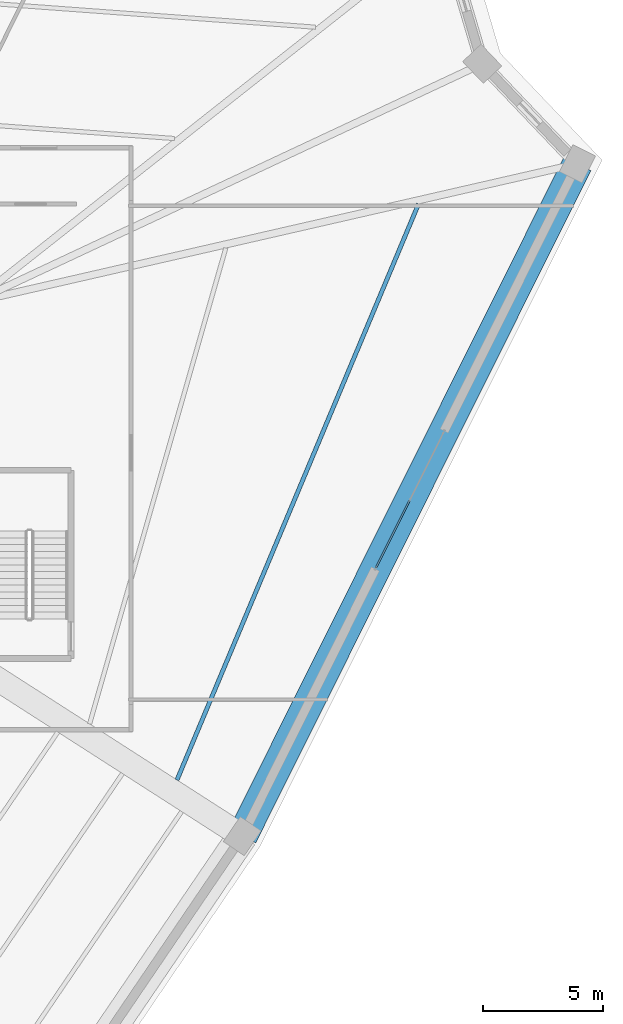
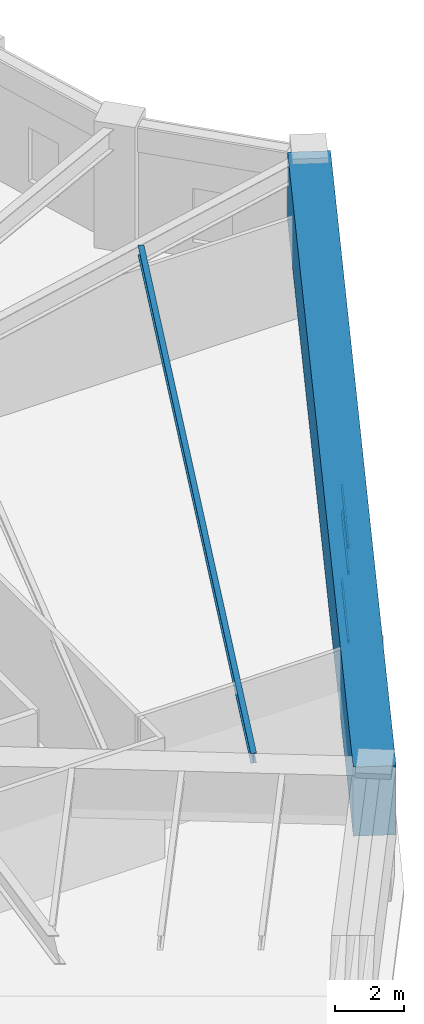
# One storey, part 23 of 39: 3 members, 2 beams, 1 element without a shape of its own.
"""IFC4 building model written with IfcOpenShell, lengths in metres."""

from ifc_helpers import new_model, si_unit, direction, frame, origin, origin_2d, place, context, subcontext, project, spatial, rectangle, hollow_rectangle, i_section, extrude, source, transform, mapped, material, layer, layer_set, material_profile, profile_set, type_object, element, aggregate, save


model = new_model("IFC4")

# Units and contexts
model_context = context("Model", 3, precision=1e-05, world=origin(), true_north=direction((0.0, 1.0)))
body_context = subcontext(model_context, "Body", "Model", "MODEL_VIEW")
ifc_project = project(units=[si_unit("LENGTHUNIT", "METRE"), si_unit("AREAUNIT", "SQUARE_METRE"), si_unit("VOLUMEUNIT", "CUBIC_METRE"), si_unit("PLANEANGLEUNIT", "RADIAN"), si_unit("MASSUNIT", "GRAM", prefix="KILO")], contexts=[model_context])

# Site, building, storey
site_placement = place(None, origin())
site = spatial("IfcSite", under=ifc_project, at=site_placement, CompositionType="ELEMENT")
building_placement = place(site_placement, origin())
building = spatial("IfcBuilding", under=site, at=building_placement, Name="Liaohun Quay Tower", CompositionType="ELEMENT")
storey_placement = place(building_placement, frame((0.0, 0.0, 189.75)))
storey = spatial("IfcBuildingStorey", under=building, at=storey_placement, Name="L49", CompositionType="ELEMENT", Elevation=189.75)

# Beams
ifc_material_1 = material(Name="Concrete C60", Category="concrete")
ifc_material_profile_1 = material_profile(ifc_material_1, rectangle(XDim=1.25, YDim=2.449951171875, at=origin_2d()), Name="RC1250x2450")
ifc_profile_set_1 = profile_set([ifc_material_profile_1], Name="Concrete C60")
beam_type_1 = type_object("IfcBeamType", Name="BM-TRF-1", PredefinedType="BEAM", material=ifc_profile_set_1)
shared_shape_1 = source(origin(), body_context, "Body", "SweptSolid", [
    extrude(rectangle(XDim=1.25, YDim=2.449951171875, at=origin_2d()), origin(), (0.0, 0.0, 1.0), 31.199462890625),
])
beam_1_placement = place(storey_placement, frame((94.097900390625, 67.2470703125, 3.094970703125), z_axis=(-0.446158454984, -0.894953983759, 0.0), x_axis=(0.894953983759, -0.446158454984, 0.0)))
element("IfcBeam", 1, at=beam_1_placement, inside=storey, type_object=beam_type_1, Name="L49 Precast Spandrel Beam PC09-PC10", PredefinedType="BEAM", context=body_context, shape_type="MappedRepresentation", body=[
    mapped(shared_shape_1, transform((0.0, 0.0, 0.0), x_axis=(1.0, 0.0, 0.0), y_axis=(0.0, 1.0, 0.0), z_axis=(0.0, 0.0, 1.0), scale=1.0)),
])
ifc_material_2 = material(Name="Steel Q355D", Category="steel")
ifc_material_profile_2 = material_profile(ifc_material_2, i_section(OverallWidth=0.175048828125, OverallDepth=0.35009765625, WebThickness=0.007080078125, FlangeThickness=0.010986328125, at=origin_2d()), Name="HN350x175x7x11")
ifc_profile_set_2 = profile_set([ifc_material_profile_2], Name="Steel Q355D")
beam_type_2 = type_object("IfcBeamType", Name="BM-SEC-J3", PredefinedType="JOIST", material=ifc_profile_set_2)
shared_shape_2 = source(origin(), body_context, "Body", "SweptSolid", [
    extrude(i_section(OverallWidth=0.175048828125, OverallDepth=0.35009765625, WebThickness=0.007080078125, FlangeThickness=0.010986328125, at=origin_2d()), origin(), (0.0, 0.0, 1.0), 25.942626953125),
])
beam_2_placement = place(storey_placement, frame((87.5009765625, 65.5830078125, 4.14501953125), z_axis=(-0.386735970416, -0.92219048422, 0.0), x_axis=(0.92219048422, -0.386735970416, 0.0)))
element("IfcBeam", 2, at=beam_2_placement, inside=storey, type_object=beam_type_2, Name="L49 Wing Secondary Floor Joist SJ-11", PredefinedType="JOIST", context=body_context, shape_type="MappedRepresentation", body=[
    mapped(shared_shape_2, transform((0.0, 0.0, 0.0), x_axis=(1.0, 0.0, 0.0), y_axis=(0.0, 1.0, 0.0), z_axis=(0.0, 0.0, 1.0), scale=1.0)),
])

# Curtain wall, members
ifc_material_3 = material(Name="Mid-height zone-break sky-lobby curtain wall")
ifc_layer = layer(ifc_material_3, 0.199951171875, Name="Mid-height zone-break sky-lobby curtain wall")
ifc_layer_set = layer_set([ifc_layer], Name="Mid-height zone-break sky-lobby curtain wall")
curtain_wall_type = type_object("IfcCurtainWallType", Name="CW-SKY-L49", PredefinedType="NOTDEFINED", material=ifc_layer_set)
curtain_wall_placement = place(storey_placement, origin())
curtain_wall = element("IfcCurtainWall", 3, at=curtain_wall_placement, inside=storey, type_object=curtain_wall_type, Name="L49 Panoramic Belvedere Curtain Wall 02", PredefinedType="NOTDEFINED")
ifc_material_4 = material(Name="Anodised aluminium 6063-T6", Category="aluminium")
ifc_material_profile_3 = material_profile(ifc_material_4, hollow_rectangle(XDim=0.06005859375, YDim=0.135009765625, WallThickness=0.00390625, at=origin_2d()), Name="RHS135x60x4")
ifc_profile_set_3 = profile_set([ifc_material_profile_3], Name="Anodised aluminium 6063-T6")
member_type = type_object("IfcMemberType", Name="MEM-CWT-SKY", PredefinedType="USERDEFINED", material=ifc_profile_set_3)
shared_shape_3 = source(origin(), body_context, "Body", "SweptSolid", [
    extrude(hollow_rectangle(XDim=0.06005859375, YDim=0.135009765625, WallThickness=0.00390625, at=origin_2d()), origin(), (0.0, 0.0, 1.0), 3.1025390625),
])
member_1_placement = place(storey_placement, frame((85.739013671875, 50.480224609375, 0.030029296875), z_axis=(0.446237602668, 0.894914522156, 0.0), x_axis=(-0.894914522156, 0.446237602668, 0.0)))
member_1 = element("IfcMember", 4, at=member_1_placement, type_object=member_type, Name="CW4 transom 1.1", ObjectType="TRANSOM", PredefinedType="USERDEFINED", context=body_context, shape_type="MappedRepresentation", body=[
    mapped(shared_shape_3, transform((0.0, 0.0, 0.0), x_axis=(1.0, 0.0, 0.0), y_axis=(0.0, 1.0, 0.0), z_axis=(0.0, 0.0, 1.0), scale=1.0)),
])
member_2_placement = place(storey_placement, frame((85.739013671875, 50.480224609375, 2.4619140625), z_axis=(0.446237602668, 0.894914522156, 0.0), x_axis=(-0.894914522156, 0.446237602668, 0.0)))
member_2 = element("IfcMember", 5, at=member_2_placement, type_object=member_type, Name="CW4 transom 1.2", ObjectType="TRANSOM", PredefinedType="USERDEFINED", context=body_context, shape_type="MappedRepresentation", body=[
    mapped(shared_shape_3, transform((0.0, 0.0, 0.0), x_axis=(1.0, 0.0, 0.0), y_axis=(0.0, 1.0, 0.0), z_axis=(0.0, 0.0, 1.0), scale=1.0)),
])
member_3_placement = place(storey_placement, frame((85.739013671875, 50.480224609375, 3.389892578125), z_axis=(0.446237602668, 0.894914522156, 0.0), x_axis=(-0.894914522156, 0.446237602668, 0.0)))
member_3 = element("IfcMember", 6, at=member_3_placement, type_object=member_type, Name="CW4 transom 1.3", ObjectType="TRANSOM", PredefinedType="USERDEFINED", context=body_context, shape_type="MappedRepresentation", body=[
    mapped(shared_shape_3, transform((0.0, 0.0, 0.0), x_axis=(1.0, 0.0, 0.0), y_axis=(0.0, 1.0, 0.0), z_axis=(0.0, 0.0, 1.0), scale=1.0)),
])
aggregate(curtain_wall, [member_1, member_2, member_3])

save(model, "model.ifc")
